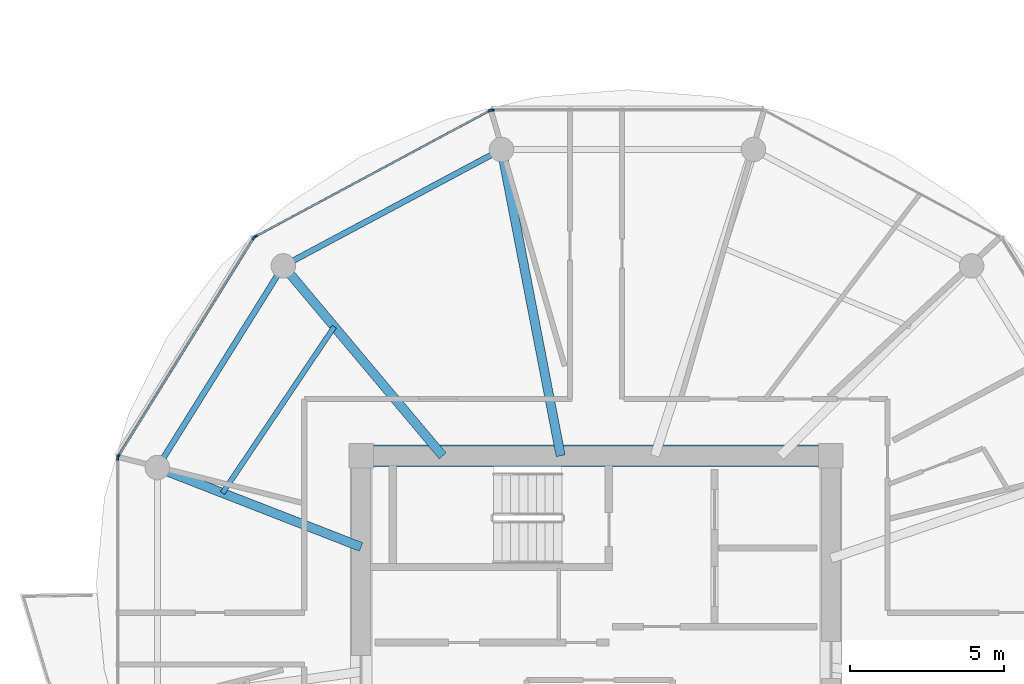
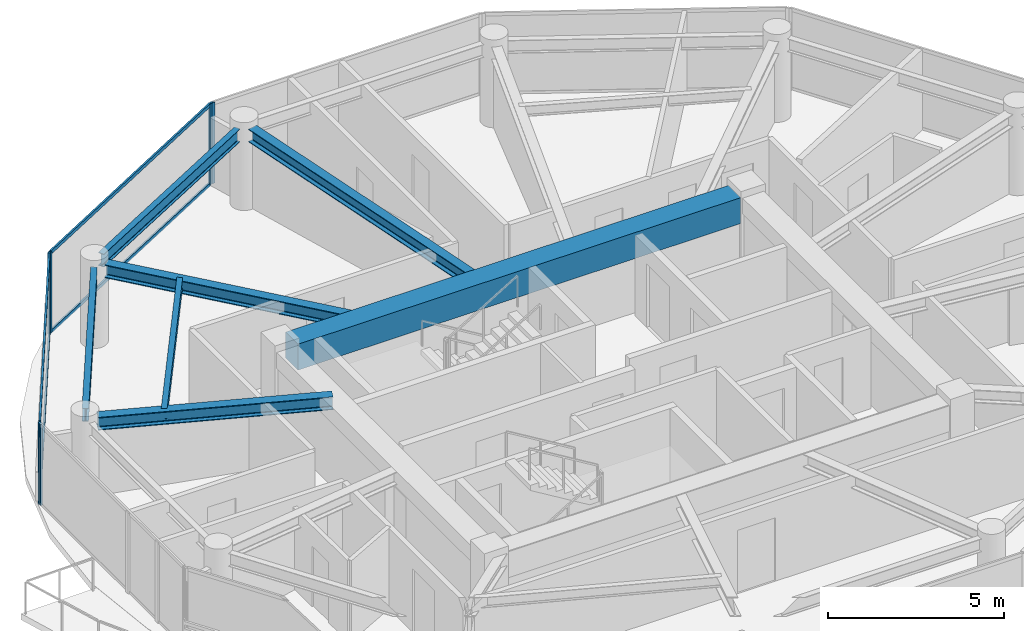
# One storey, part 4 of 23: 10 members, 7 beams, 4 elements without a shape of their own.
"""IFC4 building model written with IfcOpenShell, lengths in metres."""

from ifc_helpers import new_model, si_unit, direction, frame, origin, origin_2d, place, context, subcontext, project, spatial, rectangle, i_section, extrude, source, transform, mapped, material, layer, layer_set, material_profile, profile_set, type_object, type_shapes, element, aggregate, save


model = new_model("IFC4")

# Units and contexts
model_context = context("Model", 3, precision=1e-05, world=origin(), true_north=direction((0.0, 1.0)))
body_context = subcontext(model_context, "Body", "Model", "MODEL_VIEW")
ifc_project = project(units=[si_unit("LENGTHUNIT", "METRE"), si_unit("AREAUNIT", "SQUARE_METRE"), si_unit("VOLUMEUNIT", "CUBIC_METRE"), si_unit("PLANEANGLEUNIT", "RADIAN"), si_unit("MASSUNIT", "GRAM", prefix="KILO")], contexts=[model_context])

# Site, building, storey
site_placement = place(None, origin())
site = spatial("IfcSite", under=ifc_project, at=site_placement, CompositionType="ELEMENT")
building_placement = place(site_placement, origin())
building = spatial("IfcBuilding", under=site, at=building_placement, Name="Norrkilde Senior Care Towers", CompositionType="ELEMENT")
storey_placement = place(building_placement, frame((0.0, 0.0, 173.949951171875)))
storey = spatial("IfcBuildingStorey", under=building, at=storey_placement, Name="L54", CompositionType="ELEMENT", Elevation=173.949951171875)

# Beams
ifc_material_1 = material(Name="Concrete C60/75", Category="concrete")
ifc_material_profile_1 = material_profile(ifc_material_1, rectangle(XDim=0.699951171875, YDim=0.89990234375, at=origin_2d()), Name="RC BM 700x900")
ifc_profile_set_1 = profile_set([ifc_material_profile_1], Name="Concrete C60/75")
beam_type_1 = type_object("IfcBeamType", Name="Core Coupling Girder 700x900", PredefinedType="USERDEFINED", material=ifc_profile_set_1)
shared_shape_1 = source(origin(), body_context, "Body", "SweptSolid", [
    extrude(rectangle(XDim=0.699951171875, YDim=0.89990234375, at=origin_2d()), origin(), (0.0, 0.0, 1.0), 14.5400390625),
])
type_shapes(beam_type_1, [shared_shape_1])
beam_1_placement = place(storey_placement, frame((-35.27001953125, 5.949951171875, 2.360107421875), z_axis=(1.0, 0.0, 0.0), x_axis=(0.0, 1.0, 0.0)))
element("IfcBeam", 1, at=beam_1_placement, inside=storey, type_object=beam_type_1, Name="L54 Core W N Coupling Girder", ObjectType="GIRDER", PredefinedType="USERDEFINED", context=body_context, shape_type="MappedRepresentation", body=[
    mapped(shared_shape_1, transform((0.0, 0.0, 0.0), x_axis=(1.0, 0.0, 0.0), y_axis=(0.0, 1.0, 0.0), z_axis=(0.0, 0.0, 1.0), scale=1.0)),
])
ifc_material_2 = material(Name="Steel S355", Category="steel")
ifc_material_profile_2 = material_profile(ifc_material_2, i_section(OverallWidth=0.18994140625, OverallDepth=0.449951171875, WebThickness=0.009521484375, FlangeThickness=0.0146484375, FilletRadius=0.02099609375, at=origin_2d()), Name="IPE 450")
ifc_profile_set_2 = profile_set([ifc_material_profile_2], Name="Steel S355")
beam_type_2 = type_object("IfcBeamType", Name="Perimeter Ring Spandrel Z3 IPE450", PredefinedType="SPANDREL", material=ifc_profile_set_2)
shared_shape_2 = source(origin(), body_context, "Body", "SweptSolid", [
    extrude(i_section(OverallWidth=0.18994140625, OverallDepth=0.449951171875, WebThickness=0.009521484375, FlangeThickness=0.0146484375, FilletRadius=0.02099609375, at=origin_2d()), origin(), (0.0, 0.0, 1.0), 7.0234375),
])
beam_2_placement = place(storey_placement, frame((-38.373291015625, 11.8291015625, 2.5849609375), z_axis=(-0.529789577822, -0.848129119433, 0.0), x_axis=(0.848129119433, -0.529789577822, 0.0)))
element("IfcBeam", 2, at=beam_2_placement, inside=storey, type_object=beam_type_2, Name="L54 Drum W Perimeter Spandrel 05", PredefinedType="SPANDREL", context=body_context, shape_type="MappedRepresentation", body=[
    mapped(shared_shape_2, transform((0.0, 0.0, 0.0), x_axis=(1.0, 0.0, 0.0), y_axis=(0.0, 1.0, 0.0), z_axis=(0.0, 0.0, 1.0), scale=1.0)),
])
shared_shape_3 = source(origin(), body_context, "Body", "SweptSolid", [
    extrude(i_section(OverallWidth=0.18994140625, OverallDepth=0.449951171875, WebThickness=0.009521484375, FlangeThickness=0.0146484375, FilletRadius=0.02099609375, at=origin_2d()), origin(), (0.0, 0.0, 1.0), 7.333740234375),
])
type_shapes(beam_type_2, [shared_shape_2, shared_shape_3])
beam_3_placement = place(storey_placement, frame((-31.394775390625, 15.756591796875, 2.5849609375), z_axis=(-0.882247866069, -0.470785198172, 0.0), x_axis=(0.470785198172, -0.882247866069, 0.0)))
element("IfcBeam", 3, at=beam_3_placement, inside=storey, type_object=beam_type_2, Name="L54 Drum W Perimeter Spandrel 04", PredefinedType="SPANDREL", context=body_context, shape_type="MappedRepresentation", body=[
    mapped(shared_shape_3, transform((0.0, 0.0, 0.0), x_axis=(1.0, 0.0, 0.0), y_axis=(0.0, 1.0, 0.0), z_axis=(0.0, 0.0, 1.0), scale=1.0)),
])
ifc_material_profile_3 = material_profile(ifc_material_2, i_section(OverallWidth=0.300048828125, OverallDepth=0.449951171875, WebThickness=0.013916015625, FlangeThickness=0.02587890625, FilletRadius=0.027099609375, at=origin_2d()), Name="HEB 450")
ifc_profile_set_3 = profile_set([ifc_material_profile_3], Name="Steel S355")
beam_type_3 = type_object("IfcBeamType", Name="Radial Floor Beam Z3 HEB450", PredefinedType="BEAM", material=ifc_profile_set_3)
shared_shape_4 = source(origin(), body_context, "Body", "SweptSolid", [
    extrude(i_section(OverallWidth=0.300048828125, OverallDepth=0.449951171875, WebThickness=0.013916015625, FlangeThickness=0.02587890625, FilletRadius=0.027099609375, at=origin_2d()), origin(), (0.0, 0.0, 1.0), 9.80078125),
])
beam_4_placement = place(storey_placement, frame((-29.149658203125, 5.949951171875, 2.5849609375), z_axis=(-0.189716727661, 0.98183886827, 0.0), x_axis=(-0.98183886827, -0.189716727661, 0.0)))
element("IfcBeam", 4, at=beam_4_placement, inside=storey, type_object=beam_type_3, Name="L54 Drum W Radial Floor Beam 04", PredefinedType="BEAM", context=body_context, shape_type="MappedRepresentation", body=[
    mapped(shared_shape_4, transform((0.0, 0.0, 0.0), x_axis=(1.0, 0.0, 0.0), y_axis=(0.0, 1.0, 0.0), z_axis=(0.0, 0.0, 1.0), scale=1.0)),
])
shared_shape_5 = source(origin(), body_context, "Body", "SweptSolid", [
    extrude(i_section(OverallWidth=0.300048828125, OverallDepth=0.449951171875, WebThickness=0.013916015625, FlangeThickness=0.02587890625, FilletRadius=0.027099609375, at=origin_2d()), origin(), (0.0, 0.0, 1.0), 7.71337890625),
])
beam_5_placement = place(storey_placement, frame((-32.992919921875, 5.949951171875, 2.5849609375), z_axis=(-0.642808239864, 0.766027131872, 0.0), x_axis=(-0.766027131872, -0.642808239864, 0.0)))
element("IfcBeam", 5, at=beam_5_placement, inside=storey, type_object=beam_type_3, Name="L54 Drum W Radial Floor Beam 05", PredefinedType="BEAM", context=body_context, shape_type="MappedRepresentation", body=[
    mapped(shared_shape_5, transform((0.0, 0.0, 0.0), x_axis=(1.0, 0.0, 0.0), y_axis=(0.0, 1.0, 0.0), z_axis=(0.0, 0.0, 1.0), scale=1.0)),
])
shared_shape_6 = source(origin(), body_context, "Body", "SweptSolid", [
    extrude(i_section(OverallWidth=0.300048828125, OverallDepth=0.449951171875, WebThickness=0.013916015625, FlangeThickness=0.02587890625, FilletRadius=0.027099609375, at=origin_2d()), origin(), (0.0, 0.0, 1.0), 6.760986328125),
])
type_shapes(beam_type_3, [shared_shape_4, shared_shape_5, shared_shape_6])
beam_6_placement = place(storey_placement, frame((-35.64990234375, 2.981201171875, 2.5849609375), z_axis=(-0.931742171387, 0.363120539297, 0.0), x_axis=(-0.363120539297, -0.931742171387, 0.0)))
element("IfcBeam", 6, at=beam_6_placement, inside=storey, type_object=beam_type_3, Name="L54 Drum W Radial Floor Beam 06", PredefinedType="BEAM", context=body_context, shape_type="MappedRepresentation", body=[
    mapped(shared_shape_6, transform((0.0, 0.0, 0.0), x_axis=(1.0, 0.0, 0.0), y_axis=(0.0, 1.0, 0.0), z_axis=(0.0, 0.0, 1.0), scale=1.0)),
])
ifc_material_profile_4 = material_profile(ifc_material_2, i_section(OverallWidth=0.169921875, OverallDepth=0.360107421875, WebThickness=0.008056640625, FlangeThickness=0.0126953125, FilletRadius=0.01806640625, at=origin_2d()), Name="IPE 360")
ifc_profile_set_4 = profile_set([ifc_material_profile_4], Name="Steel S355")
beam_type_4 = type_object("IfcBeamType", Name="Secondary Floor Joist IPE360", PredefinedType="JOIST", material=ifc_profile_set_4)
shared_shape_7 = source(origin(), body_context, "Body", "SweptSolid", [
    extrude(i_section(OverallWidth=0.169921875, OverallDepth=0.360107421875, WebThickness=0.008056640625, FlangeThickness=0.0126953125, FilletRadius=0.01806640625, at=origin_2d()), origin(), (0.0, 0.0, 1.0), 6.525390625),
])
type_shapes(beam_type_4, [shared_shape_7])
beam_7_placement = place(storey_placement, frame((-36.52197265625, 10.155517578125, 2.630126953125), z_axis=(-0.55779590102, -0.829978152005, 0.0), x_axis=(0.829978152005, -0.55779590102, 0.0)))
element("IfcBeam", 7, at=beam_7_placement, inside=storey, type_object=beam_type_4, Name="L54 Drum W Secondary Floor Joist 2", PredefinedType="JOIST", context=body_context, shape_type="MappedRepresentation", body=[
    mapped(shared_shape_7, transform((0.0, 0.0, 0.0), x_axis=(1.0, 0.0, 0.0), y_axis=(0.0, 1.0, 0.0), z_axis=(0.0, 0.0, 1.0), scale=1.0)),
])

# Curtain wall, member
ifc_material_3 = material(Name="Triple Low-E Insulated Glazing", Category="glass")
ifc_layer = layer(ifc_material_3, 0.18994140625)
ifc_layer_set = layer_set([ifc_layer], Name="Triple Low-E Insulated Glazing")
curtain_wall_type = type_object("IfcCurtainWallType", Name="CW4 Zone 3 Senior Residence Curtain Wall", PredefinedType="NOTDEFINED", material=ifc_layer_set)
curtain_wall_1_placement = place(storey_placement, origin())
curtain_wall_1 = element("IfcCurtainWall", 8, at=curtain_wall_1_placement, inside=storey, type_object=curtain_wall_type, Name="L54 Drum W Curtain Wall 02", PredefinedType="NOTDEFINED")
ifc_material_4 = material(Name="Anodised Aluminium", Category="aluminium")
ifc_material_profile_5 = material_profile(ifc_material_4, rectangle(XDim=0.06494140625, YDim=0.14990234375, at=origin_2d()), Name="ALU MULL 65x150")
ifc_profile_set_5 = profile_set([ifc_material_profile_5], Name="Anodised Aluminium")
member_type_1 = type_object("IfcMemberType", Name="Curtain Wall Mullion Z3-Z4 65x150", PredefinedType="MULLION", material=ifc_profile_set_5)
shared_shape_8 = source(origin(), body_context, "Body", "SweptSolid", [
    extrude(rectangle(XDim=0.06494140625, YDim=0.14990234375, at=origin_2d()), origin(), (0.0, 0.0, 1.0), 2.81005859375),
])
type_shapes(member_type_1, [shared_shape_8])
member_1_placement = place(storey_placement, frame((-31.388916015625, 17.2109375, 0.0), z_axis=(0.0, 0.0, 1.0), x_axis=(0.0, 1.0, 0.0)))
member_1 = element("IfcMember", 9, at=member_1_placement, type_object=member_type_1, Name="CW-4 mullion 1", PredefinedType="MULLION", context=body_context, shape_type="MappedRepresentation", body=[
    mapped(shared_shape_8, transform((0.0, 0.0, 0.0), x_axis=(1.0, 0.0, 0.0), y_axis=(0.0, 1.0, 0.0), z_axis=(0.0, 0.0, 1.0), scale=1.0)),
])
aggregate(curtain_wall_1, [member_1])

# Curtain wall, members
curtain_wall_2_placement = place(storey_placement, origin())
curtain_wall_2 = element("IfcCurtainWall", 10, at=curtain_wall_2_placement, inside=storey, type_object=curtain_wall_type, Name="L54 Drum W Curtain Wall 03", PredefinedType="NOTDEFINED")
member_2_placement = place(storey_placement, frame((-39.094482421875, 13.09033203125, 0.0), z_axis=(0.0, 0.0, 1.0), x_axis=(-0.47311715104, 0.880999524059, 0.0)))
member_2 = element("IfcMember", 11, at=member_2_placement, type_object=member_type_1, Name="CW-4 mullion 1", PredefinedType="MULLION", context=body_context, shape_type="MappedRepresentation", body=[
    mapped(shared_shape_8, transform((0.0, 0.0, 0.0), x_axis=(1.0, 0.0, 0.0), y_axis=(0.0, 1.0, 0.0), z_axis=(0.0, 0.0, 1.0), scale=1.0)),
])
member_3_placement = place(storey_placement, frame((-31.4501953125, 17.195556640625, 0.0), z_axis=(0.0, 0.0, 1.0), x_axis=(-0.47311715104, 0.880999524059, 0.0)))
member_3 = element("IfcMember", 12, at=member_3_placement, type_object=member_type_1, Name="CW-4 mullion 2", PredefinedType="MULLION", context=body_context, shape_type="MappedRepresentation", body=[
    mapped(shared_shape_8, transform((0.0, 0.0, 0.0), x_axis=(1.0, 0.0, 0.0), y_axis=(0.0, 1.0, 0.0), z_axis=(0.0, 0.0, 1.0), scale=1.0)),
])

curtain_wall_3_placement = place(storey_placement, origin())
curtain_wall_3 = element("IfcCurtainWall", 13, at=curtain_wall_3_placement, inside=storey, type_object=curtain_wall_type, Name="L54 Drum W Curtain Wall 04", PredefinedType="NOTDEFINED")
member_4_placement = place(storey_placement, frame((-43.552490234375, 5.93896484375, 0.0), z_axis=(0.0, 0.0, 1.0), x_axis=(-0.84963405474, 0.52737270789, 0.0)))
member_4 = element("IfcMember", 14, at=member_4_placement, type_object=member_type_1, Name="CW-4 mullion 1", PredefinedType="MULLION", context=body_context, shape_type="MappedRepresentation", body=[
    mapped(shared_shape_8, transform((0.0, 0.0, 0.0), x_axis=(1.0, 0.0, 0.0), y_axis=(0.0, 1.0, 0.0), z_axis=(0.0, 0.0, 1.0), scale=1.0)),
])
member_5_placement = place(storey_placement, frame((-39.14013671875, 13.04736328125, 0.0), z_axis=(0.0, 0.0, 1.0), x_axis=(-0.84963405474, 0.52737270789, 0.0)))
member_5 = element("IfcMember", 15, at=member_5_placement, type_object=member_type_1, Name="CW-4 mullion 2", PredefinedType="MULLION", context=body_context, shape_type="MappedRepresentation", body=[
    mapped(shared_shape_8, transform((0.0, 0.0, 0.0), x_axis=(1.0, 0.0, 0.0), y_axis=(0.0, 1.0, 0.0), z_axis=(0.0, 0.0, 1.0), scale=1.0)),
])

# Curtain wall, member
curtain_wall_4_placement = place(storey_placement, origin())
curtain_wall_4 = element("IfcCurtainWall", 16, at=curtain_wall_4_placement, inside=storey, type_object=curtain_wall_type, Name="L54 Drum W Curtain Wall 05", PredefinedType="NOTDEFINED")
member_6_placement = place(storey_placement, frame((-43.569580078125, 5.878662109375, 0.0), z_axis=(0.0, 0.0, 1.0), x_axis=(-1.0, 0.0, 0.0)))
member_6 = element("IfcMember", 17, at=member_6_placement, type_object=member_type_1, Name="CW-4 mullion 2", PredefinedType="MULLION", context=body_context, shape_type="MappedRepresentation", body=[
    mapped(shared_shape_8, transform((0.0, 0.0, 0.0), x_axis=(1.0, 0.0, 0.0), y_axis=(0.0, 1.0, 0.0), z_axis=(0.0, 0.0, 1.0), scale=1.0)),
])
aggregate(curtain_wall_4, [member_6])

# Member
ifc_material_profile_6 = material_profile(ifc_material_4, rectangle(XDim=0.06005859375, YDim=0.1201171875, at=origin_2d()), Name="ALU TRAN 60x120")
ifc_profile_set_6 = profile_set([ifc_material_profile_6], Name="Anodised Aluminium")
member_type_2 = type_object("IfcMemberType", Name="Curtain Wall Transom Typical 60x120", PredefinedType="USERDEFINED", material=ifc_profile_set_6)
shared_shape_9 = source(origin(), body_context, "Body", "SweptSolid", [
    extrude(rectangle(XDim=0.06005859375, YDim=0.1201171875, at=origin_2d()), origin(), (0.0, 0.0, 1.0), 8.301513671875),
])
member_7_placement = place(storey_placement, frame((-43.535400390625, 5.966552734375, 0.030029296875), z_axis=(0.527368718394, 0.849636531029, 0.0), x_axis=(-0.849636531029, 0.527368718394, 0.0)))
member_7 = element("IfcMember", 18, at=member_7_placement, type_object=member_type_2, Name="CW-4 transom 1.1", ObjectType="TRANSOM", PredefinedType="USERDEFINED", context=body_context, shape_type="MappedRepresentation", body=[
    mapped(shared_shape_9, transform((0.0, 0.0, 0.0), x_axis=(1.0, 0.0, 0.0), y_axis=(0.0, 1.0, 0.0), z_axis=(0.0, 0.0, 1.0), scale=1.0)),
])

member_8_placement = place(storey_placement, frame((-43.535400390625, 5.966552734375, 2.780029296875), z_axis=(0.527368718394, 0.849636531029, 0.0), x_axis=(-0.849636531029, 0.527368718394, 0.0)))
member_8 = element("IfcMember", 19, at=member_8_placement, type_object=member_type_2, Name="CW-4 transom 1.2", ObjectType="TRANSOM", PredefinedType="USERDEFINED", context=body_context, shape_type="MappedRepresentation", body=[
    mapped(shared_shape_9, transform((0.0, 0.0, 0.0), x_axis=(1.0, 0.0, 0.0), y_axis=(0.0, 1.0, 0.0), z_axis=(0.0, 0.0, 1.0), scale=1.0)),
])

aggregate(curtain_wall_3, [member_4, member_5, member_7, member_8])

shared_shape_10 = source(origin(), body_context, "Body", "SweptSolid", [
    extrude(rectangle(XDim=0.06005859375, YDim=0.1201171875, at=origin_2d()), origin(), (0.0, 0.0, 1.0), 8.612060546875),
])
type_shapes(member_type_2, [shared_shape_9, shared_shape_10])
member_9_placement = place(storey_placement, frame((-39.06591796875, 13.105712890625, 0.030029296875), z_axis=(0.881000337462, 0.473115636384, 0.0), x_axis=(-0.473115636384, 0.881000337462, 0.0)))
member_9 = element("IfcMember", 20, at=member_9_placement, type_object=member_type_2, Name="CW-4 transom 1.1", ObjectType="TRANSOM", PredefinedType="USERDEFINED", context=body_context, shape_type="MappedRepresentation", body=[
    mapped(shared_shape_10, transform((0.0, 0.0, 0.0), x_axis=(1.0, 0.0, 0.0), y_axis=(0.0, 1.0, 0.0), z_axis=(0.0, 0.0, 1.0), scale=1.0)),
])

member_10_placement = place(storey_placement, frame((-39.06591796875, 13.105712890625, 2.780029296875), z_axis=(0.881000337462, 0.473115636384, 0.0), x_axis=(-0.473115636384, 0.881000337462, 0.0)))
member_10 = element("IfcMember", 21, at=member_10_placement, type_object=member_type_2, Name="CW-4 transom 1.2", ObjectType="TRANSOM", PredefinedType="USERDEFINED", context=body_context, shape_type="MappedRepresentation", body=[
    mapped(shared_shape_10, transform((0.0, 0.0, 0.0), x_axis=(1.0, 0.0, 0.0), y_axis=(0.0, 1.0, 0.0), z_axis=(0.0, 0.0, 1.0), scale=1.0)),
])

aggregate(curtain_wall_2, [member_2, member_3, member_9, member_10])

save(model, "model.ifc")
